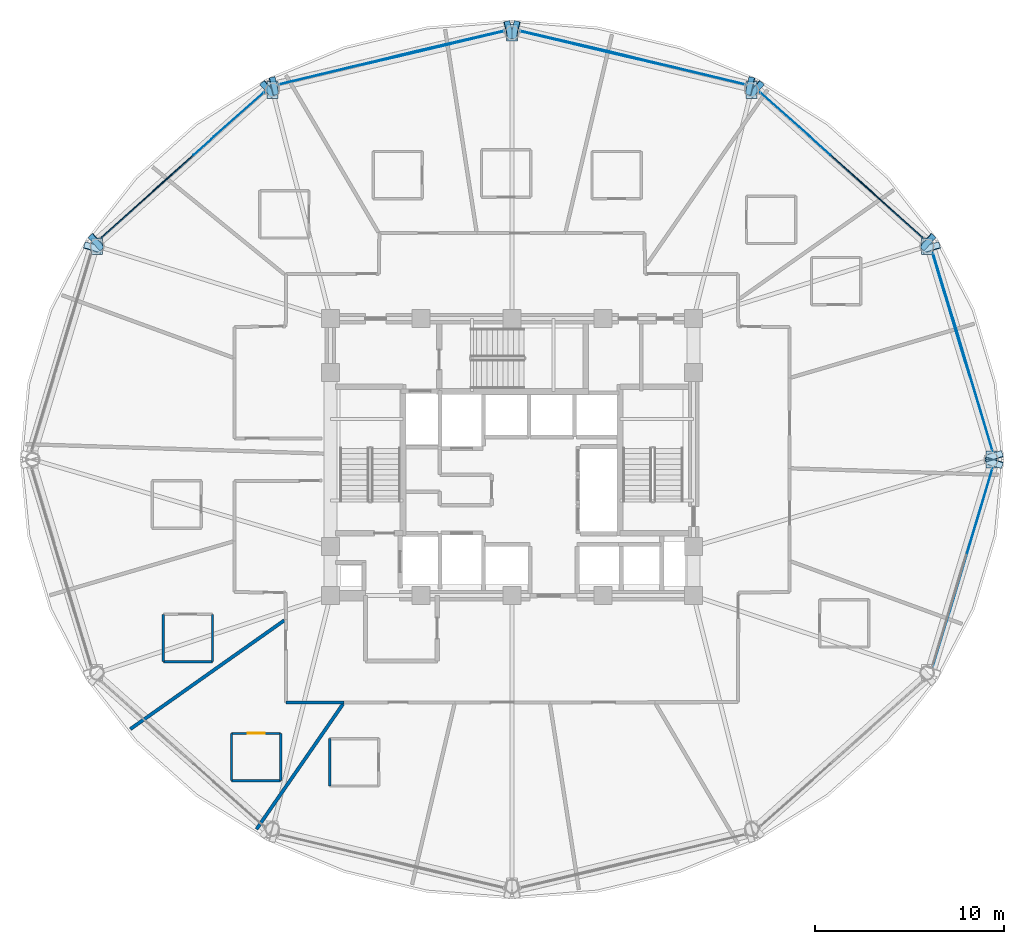
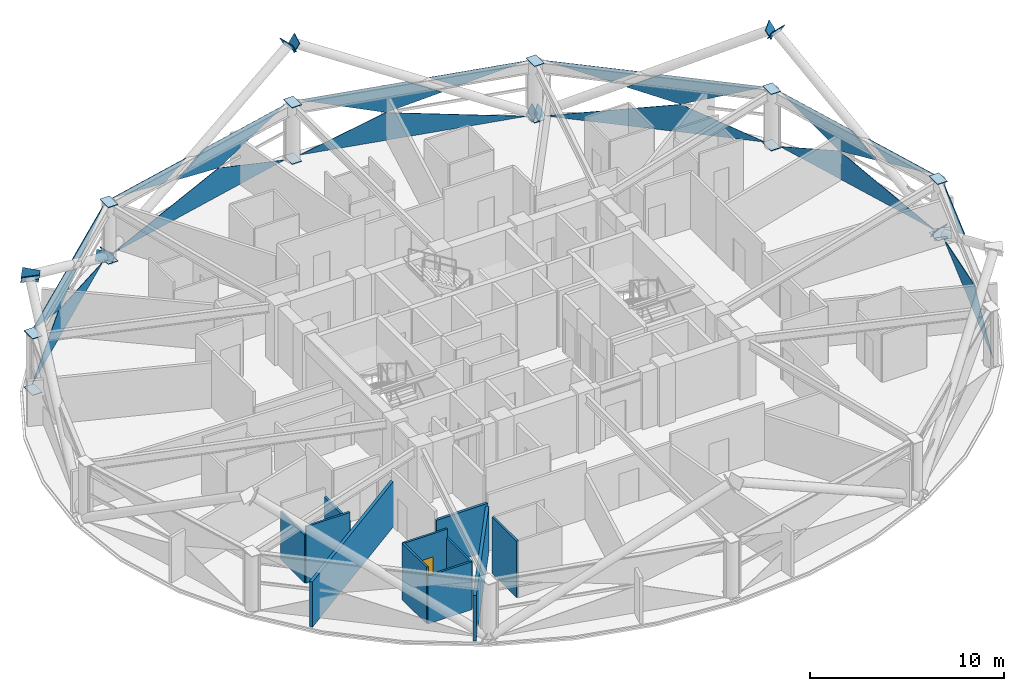
# One storey, part 22 of 30: 41 plates, 11 walls, 1 door, 1 opening, 6 elements without a shape of their own.
"""IFC4 building model written with IfcOpenShell, lengths in metres."""

from ifc_helpers import new_model, si_unit, direction, frame, frame_2d, origin, place, context, subcontext, project, spatial, polyline, rectangle, outline, extrude, material, layer, layer_set, type_object, element, fill, aggregate, save


model = new_model("IFC4")

# Units and contexts
model_context = context("Model", 3, precision=1e-05, world=origin(), true_north=direction((0.0, 1.0)))
body_context = subcontext(model_context, "Body", "Model", "MODEL_VIEW")
ifc_project = project(units=[si_unit("LENGTHUNIT", "METRE"), si_unit("AREAUNIT", "SQUARE_METRE"), si_unit("VOLUMEUNIT", "CUBIC_METRE"), si_unit("PLANEANGLEUNIT", "RADIAN"), si_unit("MASSUNIT", "GRAM", prefix="KILO")], contexts=[model_context])

# Site, building, storey
site_placement = place(None, origin())
site = spatial("IfcSite", under=ifc_project, at=site_placement, CompositionType="ELEMENT")
building_placement = place(site_placement, origin())
building = spatial("IfcBuilding", under=site, at=building_placement, Name="Vantalir Tower", CompositionType="ELEMENT")
storey_placement = place(building_placement, frame((0.0, 0.0, 119.699951171875)))
storey = spatial("IfcBuildingStorey", under=building, at=storey_placement, Name="L29", CompositionType="ELEMENT", Elevation=119.699951171875)

# Curtain wall, plates
ifc_material_1 = material(Name="Champagne-silver PVDF aluminium and double-silver Low-E glass", Category="aluminium")
ifc_layer_1 = layer(ifc_material_1, 0.199951171875)
ifc_layer_set_1 = layer_set([ifc_layer_1], Name="Champagne-silver PVDF aluminium and double-silver Low-E glass")
curtain_wall_type = type_object("IfcCurtainWallType", Name="CW-DIAMOND-Z2", PredefinedType="USERDEFINED", material=ifc_layer_set_1)
curtain_wall_1_placement = place(storey_placement, origin())
curtain_wall_1 = element("IfcCurtainWall", 1, at=curtain_wall_1_placement, inside=storey, type_object=curtain_wall_type, Name="L29 Quilted Pyramid-Diamond Curtain Wall S01", ObjectType="UNITISED CURTAIN WALL", PredefinedType="USERDEFINED")
ifc_material_2 = material(Name="Double-silver Low-E laminated glass IGU", Category="glass")
ifc_layer_2 = layer(ifc_material_2, 0.028076171875)
ifc_layer_set_2 = layer_set([ifc_layer_2], Name="Double-silver Low-E laminated glass IGU")
plate_type_1 = type_object("IfcPlateType", Name="CWP-IGU-28", PredefinedType="CURTAIN_PANEL", material=ifc_layer_set_2)
plate_1_placement = place(storey_placement, frame((56.899169921875, 25.435791015625, 0.04638671875), z_axis=(-0.957578053616, -0.287841463526, 0.013840632538), x_axis=(-0.287868447125, 0.957669961505, 4.4506563e-05)))
plate_1 = element("IfcPlate", 2, at=plate_1_placement, type_object=plate_type_1, Name="CW-L29-S01 Pyramid Diamond Facet 1L", PredefinedType="CURTAIN_PANEL", context=body_context, shape_type="SweptSolid", body=[
    extrude(outline(polyline([(0.0, 0.0), (10.970994412692926, -8.131516293641283e-18), (6.796515827342093, -1.7266695437920625), (0.0, 0.0)])), origin(), (0.0, 0.0, -1.0), 0.028076171875),
])
plate_2_placement = place(storey_placement, frame((55.226318359375, 31.000732421875, 3.5234375), z_axis=(0.957588260147, 0.287806505147, 0.013861443813), x_axis=(-0.287834162789, 0.957680267486, 3.11852e-07)))
plate_2 = element("IfcPlate", 3, at=plate_2_placement, type_object=plate_type_1, Name="CW-L29-S01 Pyramid Diamond Facet 2U", PredefinedType="CURTAIN_PANEL", context=body_context, shape_type="SweptSolid", body=[
    extrude(outline(polyline([(0.0, 0.0), (5.160055991354024, 3.469446951953614e-18), (0.9855008892440076, -1.7264845377188185), (-1.7235338823566524, -1.0384276978112634), (0.0, 0.0)])), origin(), (0.0, 0.0, -1.0), 0.028076171875),
])
plate_3_placement = place(storey_placement, frame((56.9296875, 25.44482421875, 3.52392578125), z_axis=(0.95759268239, 0.287801646243, 0.013655293989), x_axis=(-0.287828482758, 0.95768197462, 0.0)))
plate_3 = element("IfcPlate", 4, at=plate_3_placement, type_object=plate_type_1, Name="CW-L29-S01 Pyramid Diamond Facet 2U Infill Light", PredefinedType="CURTAIN_PANEL", context=body_context, shape_type="SweptSolid", body=[
    extrude(outline(polyline([(0.0, 0.0), (4.706748669004989, 0.0), (3.3106220597041633, -0.8408987161082094), (0.0, 0.0)])), origin(), (0.0, 0.0, -1.0), 0.028076171875),
])
aggregate(curtain_wall_1, [plate_1, plate_2, plate_3])

curtain_wall_2_placement = place(storey_placement, origin())
curtain_wall_2 = element("IfcCurtainWall", 5, at=curtain_wall_2_placement, inside=storey, type_object=curtain_wall_type, Name="L29 Quilted Pyramid-Diamond Curtain Wall S02", ObjectType="UNITISED CURTAIN WALL", PredefinedType="USERDEFINED")
plate_4_placement = place(storey_placement, frame((53.2705078125, 36.6806640625, 0.046630859375), z_axis=(-0.665299997576, -0.746453720294, 0.013518753099), x_axis=(-0.746522128378, 0.665360587501, -2.1031755e-05)))
plate_4 = element("IfcPlate", 6, at=plate_4_placement, type_object=plate_type_1, Name="CW-L29-S02 Pyramid Diamond Facet 1L", PredefinedType="CURTAIN_PANEL", context=body_context, shape_type="SweptSolid", body=[
    extrude(outline(polyline([(0.0, 0.0), (11.60819104345454, 1.4690939437178585e-17), (4.412884720240076, -1.7270572745579436), (0.0, 0.0)])), origin(), (0.0, 0.0, -1.0), 0.028076171875),
])
plate_5_placement = place(storey_placement, frame((53.2705078125, 36.6806640625, 3.5234375), z_axis=(0.665302752759, 0.74645122267, 0.013521070447), x_axis=(-0.746519465343, 0.665363575697, 5.0468e-08)))
plate_5 = element("IfcPlate", 7, at=plate_5_placement, type_object=plate_type_1, Name="CW-L29-S02 Pyramid Diamond Facet 2U", PredefinedType="CURTAIN_PANEL", context=body_context, shape_type="SweptSolid", body=[
    extrude(outline(polyline([(0.0, 0.0), (5.468720027258396, 6.938893903907228e-18), (7.283555827579665, -1.037937046286152), (4.412921045257344, -1.726964455812568), (0.0, 0.0)])), origin(), (0.0, 0.0, -1.0), 0.028076171875),
])
plate_6_placement = place(storey_placement, frame((48.352294921875, 41.107177734375, 3.52392578125), z_axis=(0.665284228893, 0.746469142291, 0.013443005368), x_axis=(-0.746537036916, 0.665343858558, 4.8911553e-05)))
plate_6 = element("IfcPlate", 8, at=plate_6_placement, type_object=plate_type_1, Name="CW-L29-S02 Pyramid Diamond Facet 2U Infill Light", PredefinedType="CURTAIN_PANEL", context=body_context, shape_type="SweptSolid", body=[
    extrude(outline(polyline([(0.0, 0.0), (4.991471521318294, -2.8189256484623115e-18), (1.4751675374772637, -0.8438984094848941), (0.0, 0.0)])), origin(), (0.0, 0.0, -1.0), 0.028076171875),
])
aggregate(curtain_wall_2, [plate_4, plate_5, plate_6])

curtain_wall_3_placement = place(storey_placement, origin())
curtain_wall_3 = element("IfcCurtainWall", 9, at=curtain_wall_3_placement, inside=storey, type_object=curtain_wall_type, Name="L29 Quilted Pyramid-Diamond Curtain Wall S03", ObjectType="UNITISED CURTAIN WALL", PredefinedType="USERDEFINED")
plate_7_placement = place(storey_placement, frame((43.822509765625, 44.812744140625, 0.04638671875), z_axis=(-0.232299062486, -0.972547398825, 0.013736906736), x_axis=(-0.972639108939, 0.232321250348, 1.9988062e-05)))
plate_7 = element("IfcPlate", 10, at=plate_7_placement, type_object=plate_type_1, Name="CW-L29-S03 Pyramid Diamond Facet 1L", PredefinedType="CURTAIN_PANEL", context=body_context, shape_type="SweptSolid", body=[
    extrude(outline(polyline([(0.0, 0.0), (12.214321677942559, 2.3852447794681098e-18), (7.566829300633207, -1.72730665728665), (0.0, 0.0)])), origin(), (0.0, 0.0, -1.0), 0.028076171875),
])
plate_8_placement = place(storey_placement, frame((37.547607421875, 46.3115234375, 3.523681640625), z_axis=(0.232301234705, 0.97254673687, 0.013747034514), x_axis=(-0.972638510064, 0.232323754585, -4.2380741e-05)))
plate_8 = element("IfcPlate", 11, at=plate_8_placement, type_object=plate_type_1, Name="CW-L29-S03 Pyramid Diamond Facet 2U", PredefinedType="CURTAIN_PANEL", context=body_context, shape_type="SweptSolid", body=[
    extrude(outline(polyline([(0.0, 0.0), (5.762907974873751, 2.981555974335137e-19), (1.1154543352141921, -1.7274108812387383), (-1.9029553580483136, -1.0382647935510374), (0.0, 0.0)])), origin(), (0.0, 0.0, -1.0), 0.028076171875),
])
plate_9_placement = place(storey_placement, frame((43.829833984375, 44.84375, 3.524169921875), z_axis=(0.232304264047, 0.972542172526, 0.014016117995), x_axis=(-0.972637715319, 0.232327085678, 0.0)))
plate_9 = element("IfcPlate", 12, at=plate_9_placement, type_object=plate_type_1, Name="CW-L29-S03 Pyramid Diamond Facet 2U Infill Light", PredefinedType="CURTAIN_PANEL", context=body_context, shape_type="SweptSolid", body=[
    extrude(outline(polyline([(0.0, 0.0), (5.262650484484167, 0.0), (3.7102356855012117, -0.8470070301392341), (0.0, 0.0)])), origin(), (0.0, 0.0, -1.0), 0.028076171875),
])
aggregate(curtain_wall_3, [plate_7, plate_8, plate_9])

curtain_wall_4_placement = place(storey_placement, origin())
curtain_wall_4 = element("IfcCurtainWall", 13, at=curtain_wall_4_placement, inside=storey, type_object=curtain_wall_type, Name="L29 Quilted Pyramid-Diamond Curtain Wall S04", ObjectType="UNITISED CURTAIN WALL", PredefinedType="USERDEFINED")
plate_10_placement = place(storey_placement, frame((31.0576171875, 47.650390625, 0.046630859375), z_axis=(0.232299062486, -0.972547398825, 0.013736906736), x_axis=(-0.972639108939, -0.232321250348, -1.9988062e-05)))
plate_10 = element("IfcPlate", 14, at=plate_10_placement, type_object=plate_type_1, Name="CW-L29-S04 Pyramid Diamond Facet 1L", PredefinedType="CURTAIN_PANEL", context=body_context, shape_type="SweptSolid", body=[
    extrude(outline(polyline([(0.0, 0.0), (12.214321677942559, -2.3852447794681098e-18), (4.647492377309353, -1.72730665728665), (0.0, 0.0)])), origin(), (0.0, 0.0, -1.0), 0.028076171875),
])
plate_11_placement = place(storey_placement, frame((31.0576171875, 47.650390625, 3.5234375), z_axis=(-0.232301234705, 0.97254673687, 0.013747034514), x_axis=(-0.972638510064, -0.232323754585, 4.2380741e-05)))
plate_11 = element("IfcPlate", 15, at=plate_11_placement, type_object=plate_type_1, Name="CW-L29-S04 Pyramid Diamond Facet 2U", PredefinedType="CURTAIN_PANEL", context=body_context, shape_type="SweptSolid", body=[
    extrude(outline(polyline([(0.0, 0.0), (5.762907974873751, -2.981555974335137e-19), (7.665863332922064, -1.0382647935510374), (4.647453639659559, -1.727410881238738), (0.0, 0.0)])), origin(), (0.0, 0.0, -1.0), 0.028076171875),
])
plate_12_placement = place(storey_placement, frame((24.288818359375, 46.06640625, 3.524169921875), z_axis=(-0.232304264047, 0.972542172526, 0.014016117995), x_axis=(-0.972637715319, -0.232327085678, 0.0)))
plate_12 = element("IfcPlate", 16, at=plate_12_placement, type_object=plate_type_1, Name="CW-L29-S04 Pyramid Diamond Facet 2U Infill Light", PredefinedType="CURTAIN_PANEL", context=body_context, shape_type="SweptSolid", body=[
    extrude(outline(polyline([(0.0, 0.0), (5.262650484484167, 0.0), (1.5524147989829549, -0.8470070301392341), (0.0, 0.0)])), origin(), (0.0, 0.0, -1.0), 0.028076171875),
])
aggregate(curtain_wall_4, [plate_10, plate_11, plate_12])

curtain_wall_5_placement = place(storey_placement, origin())
curtain_wall_5 = element("IfcCurtainWall", 17, at=curtain_wall_5_placement, inside=storey, type_object=curtain_wall_type, Name="L29 Quilted Pyramid-Diamond Curtain Wall S05", ObjectType="UNITISED CURTAIN WALL", PredefinedType="USERDEFINED")
plate_13_placement = place(storey_placement, frame((18.395263671875, 44.404296875, 0.04638671875), z_axis=(0.665299997576, -0.746453720294, 0.013518753099), x_axis=(-0.746522128378, -0.665360587501, 2.1031755e-05)))
plate_13 = element("IfcPlate", 18, at=plate_13_placement, type_object=plate_type_1, Name="CW-L29-S05 Pyramid Diamond Facet 1L", PredefinedType="CURTAIN_PANEL", context=body_context, shape_type="SweptSolid", body=[
    extrude(outline(polyline([(0.0, 0.0), (11.60819104345454, -1.4690939437178585e-17), (7.195306323214464, -1.7270572745579436), (0.0, 0.0)])), origin(), (0.0, 0.0, -1.0), 0.028076171875),
])
plate_14_placement = place(storey_placement, frame((13.81201171875, 40.3193359375, 3.5234375), z_axis=(-0.665302752759, 0.74645122267, 0.013521070447), x_axis=(-0.746519465343, -0.665363575697, -5.0468e-08)))
plate_14 = element("IfcPlate", 19, at=plate_14_placement, type_object=plate_type_1, Name="CW-L29-S05 Pyramid Diamond Facet 2U", PredefinedType="CURTAIN_PANEL", context=body_context, shape_type="SweptSolid", body=[
    extrude(outline(polyline([(0.0, 0.0), (5.468720027258396, -6.938893903907228e-18), (1.055798982001051, -1.726964455812568), (-1.8148358003212686, -1.037937046286152), (0.0, 0.0)])), origin(), (0.0, 0.0, -1.0), 0.028076171875),
])
plate_15_placement = place(storey_placement, frame((18.3740234375, 44.42822265625, 3.524169921875), z_axis=(-0.665284228893, 0.746469142291, 0.013443005368), x_axis=(-0.746537036916, -0.665343858558, -4.8911553e-05)))
plate_15 = element("IfcPlate", 20, at=plate_15_placement, type_object=plate_type_1, Name="CW-L29-S05 Pyramid Diamond Facet 2U Infill Light", PredefinedType="CURTAIN_PANEL", context=body_context, shape_type="SweptSolid", body=[
    extrude(outline(polyline([(0.0, 0.0), (4.991471521318294, 2.8189256484623115e-18), (3.5163039838410306, -0.8438984094848941), (0.0, 0.0)])), origin(), (0.0, 0.0, -1.0), 0.028076171875),
])
aggregate(curtain_wall_5, [plate_13, plate_14, plate_15])

curtain_wall_6_placement = place(storey_placement, origin())
curtain_wall_6 = element("IfcCurtainWall", 21, at=curtain_wall_6_placement, inside=storey, type_object=curtain_wall_type, Name="L29 Quilted Pyramid-Diamond Curtain Wall S12", ObjectType="UNITISED CURTAIN WALL", PredefinedType="USERDEFINED")
plate_16_placement = place(storey_placement, frame((53.740966796875, 14.0576171875, 0.046875), z_axis=(-0.957578053616, 0.287841463526, 0.013840632538), x_axis=(0.287868447125, 0.957669961505, -4.4506563e-05)))
plate_16 = element("IfcPlate", 22, at=plate_16_placement, type_object=plate_type_1, Name="CW-L29-S12 Pyramid Diamond Facet 1L", PredefinedType="CURTAIN_PANEL", context=body_context, shape_type="SweptSolid", body=[
    extrude(outline(polyline([(0.0, 0.0), (10.970994412692926, 8.131516293641283e-18), (4.174478585350832, -1.7266695437920627), (0.0, 0.0)])), origin(), (0.0, 0.0, -1.0), 0.028076171875),
])
plate_17_placement = place(storey_placement, frame((55.574951171875, 20.047607421875, 3.52392578125), z_axis=(0.95759268239, -0.287801646243, 0.013655293989), x_axis=(0.287828482758, 0.95768197462, 0.0)))
plate_17 = element("IfcPlate", 23, at=plate_17_placement, type_object=plate_type_1, Name="CW-L29-S12 Pyramid Diamond Facet 2U Infill Light", PredefinedType="CURTAIN_PANEL", context=body_context, shape_type="SweptSolid", body=[
    extrude(outline(polyline([(0.0, 0.0), (4.706748669004989, 0.0), (1.396126609300826, -0.8408987161082094), (0.0, 0.0)])), origin(), (0.0, 0.0, -1.0), 0.028076171875),
])
aggregate(curtain_wall_6, [plate_16, plate_17])

# Plates
ifc_material_3 = material(Name="Steel S460", Category="steel")
ifc_layer_3 = layer(ifc_material_3, 0.0400390625)
ifc_layer_set_3 = layer_set([ifc_layer_3], Name="Steel S460")
plate_type_2 = type_object("IfcPlateType", Name="PLT-KN-Z1", PredefinedType="USERDEFINED", material=ifc_layer_set_3)
plate_18_placement = place(storey_placement, frame((57.382568359375, 25.47705078125, -0.06787109375), z_axis=(-0.246487433988, 0.820120913175, 0.516377413002), x_axis=(-0.95767832403, -0.287840628499, 1.6357062e-05)))
element("IfcPlate", 24, at=plate_18_placement, inside=storey, type_object=plate_type_2, Name="Node Cap Plate MEM-DG-L29-R01L Start", ObjectType="FLANGE_PLATE", PredefinedType="USERDEFINED", context=body_context, shape_type="SweptSolid", body=[
    extrude(outline(polyline([(0.0, 0.0), (0.9498757175918675, 2.7755575615628914e-17), (0.9500023479249362, 0.6200542131198509), (-0.00010717785150907857, 0.6200905040900339), (0.0, 0.0)])), origin(), (0.0, 0.0, -1.0), 0.0400390625),
])
plate_19_placement = place(storey_placement, frame((54.065185546875, 36.513671875, 6.87744140625), z_axis=(-0.246572977897, 0.820295460396, 0.516059225501), x_axis=(-0.957670515675, -0.287866606966, 0.0)))
element("IfcPlate", 25, at=plate_19_placement, inside=storey, type_object=plate_type_2, Name="Node Cap Plate MEM-DG-L29-R01L End", ObjectType="FLANGE_PLATE", PredefinedType="USERDEFINED", context=body_context, shape_type="SweptSolid", body=[
    extrude(outline(polyline([(0.0, 0.0), (0.9498757180684223, 0.0), (0.9499320675149764, 0.6199335236216567), (5.6349446554068705e-05, 0.6199335236216568), (0.0, 0.0)])), origin(), (0.0, 0.0, -1.0), 0.0400390625),
])
plate_20_placement = place(storey_placement, frame((56.472900390625, 24.79638671875, -0.06787109375), z_axis=(-0.246487433988, -0.820120913175, 0.516377413002), x_axis=(0.95767832403, -0.287840628499, -1.6357062e-05)))
element("IfcPlate", 26, at=plate_20_placement, inside=storey, type_object=plate_type_2, Name="Node Cap Plate MEM-DG-L29-R01R Start", ObjectType="FLANGE_PLATE", PredefinedType="USERDEFINED", context=body_context, shape_type="SweptSolid", body=[
    extrude(outline(polyline([(0.0, 0.0), (0.9498757175918675, -2.7755575615628914e-17), (0.9499828954433767, 0.6200905040900339), (-0.0001266303330686793, 0.6200542131198509), (0.0, 0.0)])), origin(), (0.0, 0.0, -1.0), 0.0400390625),
])
plate_21_placement = place(storey_placement, frame((44.036376953125, 45.25, -0.0830078125), z_axis=(-0.853889385606, 0.203967764457, 0.47882154109), x_axis=(-0.232326087956, -0.972637953556, 1.2548532e-05)))
element("IfcPlate", 27, at=plate_21_placement, inside=storey, type_object=plate_type_2, Name="Node Cap Plate MEM-DG-L29-R07L Start", ObjectType="FLANGE_PLATE", PredefinedType="USERDEFINED", context=body_context, shape_type="SweptSolid", body=[
    extrude(outline(polyline([(0.0, 0.0), (0.9500628510062665, 0.0), (0.9499334867673997, 0.6201322158473045), (0.00010809619901300934, 0.6201593721022879), (0.0, 0.0)])), origin(), (0.0, 0.0, -1.0), 0.0400390625),
])
plate_22_placement = place(storey_placement, frame((31.62646484375, 48.214111328125, 6.8779296875), z_axis=(-0.853826344548, 0.203925763665, 0.478951830845), x_axis=(-0.232303709897, -0.972643298629, 0.0)))
element("IfcPlate", 28, at=plate_22_placement, inside=storey, type_object=plate_type_2, Name="Node Cap Plate MEM-DG-L29-R07L End", ObjectType="FLANGE_PLATE", PredefinedType="USERDEFINED", context=body_context, shape_type="SweptSolid", body=[
    extrude(outline(polyline([(0.0, 0.0), (0.9500628513325243, 0.0), (0.9499334864411865, 0.6199178886275151), (-0.0001293648913379547, 0.6199178886275151), (0.0, 0.0)])), origin(), (0.0, 0.0, -1.0), 0.0400390625),
])
plate_23_placement = place(storey_placement, frame((44.211669921875, 44.118408203125, -0.075927734375), z_axis=(0.647889543187, -0.577723819588, 0.496461809317), x_axis=(0.66551788658, 0.746381900191, 4.1337984e-05)))
element("IfcPlate", 29, at=plate_23_placement, inside=storey, type_object=plate_type_2, Name="Node Cap Plate MEM-DG-L29-R07R Start", ObjectType="FLANGE_PLATE", PredefinedType="USERDEFINED", context=body_context, shape_type="SweptSolid", body=[
    extrude(outline(polyline([(0.0, 0.0), (0.9498337027615531, 5.551115123125783e-17), (0.9498466991590877, 0.6201088680268438), (-0.0001494835552438813, 0.6201993401925051), (0.0, 0.0)])), origin(), (0.0, 0.0, -1.0), 0.0400390625),
])
plate_24_placement = place(storey_placement, frame((53.287109375, 36.029541015625, 6.877685546875), z_axis=(0.647923945691, -0.5774440948, 0.496742265144), x_axis=(0.665336277327, 0.746543795147, 0.0)))
element("IfcPlate", 30, at=plate_24_placement, inside=storey, type_object=plate_type_2, Name="Node Cap Plate MEM-DG-L29-R07R End", ObjectType="FLANGE_PLATE", PredefinedType="USERDEFINED", context=body_context, shape_type="SweptSolid", body=[
    extrude(outline(polyline([(0.0, 0.0), (0.9500159538334854, 2.7755575615628914e-17), (0.9499191449677844, 0.6199874546510638), (-9.680886570095915e-05, 0.6199874546510638), (0.0, 0.0)])), origin(), (0.0, 0.0, -1.0), 0.0400390625),
])
plate_25_placement = place(storey_placement, frame((18.15625, 44.827392578125, -0.075927734375), z_axis=(-0.647889543187, -0.577723819588, 0.496461809317), x_axis=(0.66551788658, -0.746381900191, -4.1337984e-05)))
element("IfcPlate", 31, at=plate_25_placement, inside=storey, type_object=plate_type_2, Name="Node Cap Plate MEM-DG-L29-R13L Start", ObjectType="FLANGE_PLATE", PredefinedType="USERDEFINED", context=body_context, shape_type="SweptSolid", body=[
    extrude(outline(polyline([(0.0, 0.0), (0.9498337027615531, -5.551115123125783e-17), (0.9499831863167971, 0.620199340192505), (-1.2996397534468084e-05, 0.6201088680268438), (0.0, 0.0)])), origin(), (0.0, 0.0, -1.0), 0.0400390625),
])
plate_26_placement = place(storey_placement, frame((9.080810546875, 36.73876953125, 6.877685546875), z_axis=(-0.647923945691, -0.5774440948, 0.496742265144), x_axis=(0.665336277327, -0.746543795147, 0.0)))
element("IfcPlate", 32, at=plate_26_placement, inside=storey, type_object=plate_type_2, Name="Node Cap Plate MEM-DG-L29-R13L End", ObjectType="FLANGE_PLATE", PredefinedType="USERDEFINED", context=body_context, shape_type="SweptSolid", body=[
    extrude(outline(polyline([(0.0, 0.0), (0.9500159538334854, -2.7755575615628914e-17), (0.9501127626991863, 0.6199874546510638), (9.680886570095915e-05, 0.6199874546510638), (0.0, 0.0)])), origin(), (0.0, 0.0, -1.0), 0.0400390625),
])
plate_27_placement = place(storey_placement, frame((19.184326171875, 44.325927734375, -0.0830078125), z_axis=(0.853889385606, 0.203967764457, 0.47882154109), x_axis=(-0.232326087956, 0.972637953556, -1.2548532e-05)))
element("IfcPlate", 33, at=plate_27_placement, inside=storey, type_object=plate_type_2, Name="Node Cap Plate MEM-DG-L29-R13R Start", ObjectType="FLANGE_PLATE", PredefinedType="USERDEFINED", context=body_context, shape_type="SweptSolid", body=[
    extrude(outline(polyline([(0.0, 0.0), (0.9500628510062665, 0.0), (0.9499547548072536, 0.6201593721022879), (0.00012936423886685683, 0.6201322158473045), (0.0, 0.0)])), origin(), (0.0, 0.0, -1.0), 0.0400390625),
])
plate_28_placement = place(storey_placement, frame((31.59423828125, 47.2900390625, 6.8779296875), z_axis=(0.853826344548, 0.203925763665, 0.478951830845), x_axis=(-0.232303709897, 0.972643298629, 0.0)))
element("IfcPlate", 34, at=plate_28_placement, inside=storey, type_object=plate_type_2, Name="Node Cap Plate MEM-DG-L29-R13R End", ObjectType="FLANGE_PLATE", PredefinedType="USERDEFINED", context=body_context, shape_type="SweptSolid", body=[
    extrude(outline(polyline([(0.0, 0.0), (0.9500628513325243, 0.0), (0.9501922162238623, 0.6199178886275152), (0.0001293648913379547, 0.6199178886275151), (0.0, 0.0)])), origin(), (0.0, 0.0, -1.0), 0.0400390625),
])
plate_29_placement = place(storey_placement, frame((9.844482421875, 36.240234375, 6.87744140625), z_axis=(0.246572977897, 0.820295460396, 0.516059225501), x_axis=(-0.957670515675, 0.287866606966, 0.0)))
element("IfcPlate", 35, at=plate_29_placement, inside=storey, type_object=plate_type_2, Name="Node Cap Plate MEM-DG-L29-R19R End", ObjectType="FLANGE_PLATE", PredefinedType="USERDEFINED", context=body_context, shape_type="SweptSolid", body=[
    extrude(outline(polyline([(0.0, 0.0), (0.9498757180684223, 0.0), (0.9498193686218683, 0.6199335236216568), (-5.6349446554068705e-05, 0.6199335236216568), (0.0, 0.0)])), origin(), (0.0, 0.0, -1.0), 0.0400390625),
])
ifc_layer_4 = layer(ifc_material_3, 0.035888671875)
ifc_layer_set_4 = layer_set([ifc_layer_4], Name="Steel S460")
plate_type_3 = type_object("IfcPlateType", Name="PLT-KN-Z2", PredefinedType="USERDEFINED", material=ifc_layer_set_4)
for number, where, z_axis, x_axis, name in (
    (36, (56.550048828125, 25.43994140625, 3.59814453125), (0.0, 0.0, 1.0), (0.0, -1.0, 0.0), "L29 Ring Column Top Cap RC01"),
    (37, (56.550048828125, 25.43994140625, 0.052978515625), (0.0, 0.0, 1.0), (0.0, -1.0, 0.0), "L29 Ring Column Base Cap RC01"),
):
    element("IfcPlate", number, at=place(storey_placement, frame(where, z_axis=z_axis, x_axis=x_axis)), inside=storey, type_object=plate_type_3, Name=name, ObjectType="FLANGE_PLATE", PredefinedType="USERDEFINED", context=body_context, shape_type="SweptSolid", body=[
        extrude(outline(polyline([(0.0, 0.0), (0.8798828125, 0.0), (0.8798828125, 0.579833984375), (0.0, 0.579833984375), (0.0, 0.0)])), origin(), (0.0, 0.0, -1.0), 0.035888671875),
    ])
for number, where, z_axis, x_axis, name in (
    (38, (53.155029296875, 36.722900390625, 3.59814453125), (0.0, 0.0, 1.0), (0.0, -1.0, 0.0), "L29 Ring Column Top Cap RC02"),
    (39, (53.155029296875, 36.722900390625, 0.052978515625), (0.0, 0.0, 1.0), (0.0, -1.0, 0.0), "L29 Ring Column Base Cap RC02"),
    (40, (43.8798828125, 44.98291015625, 3.59814453125), (0.0, 0.0, 1.0), (0.0, -1.0, 0.0), "L29 Ring Column Top Cap RC03"),
    (41, (43.8798828125, 44.98291015625, 0.052978515625), (0.0, 0.0, 1.0), (0.0, -1.0, 0.0), "L29 Ring Column Base Cap RC03"),
):
    element("IfcPlate", number, at=place(storey_placement, frame(where, z_axis=z_axis, x_axis=x_axis)), inside=storey, type_object=plate_type_3, Name=name, ObjectType="FLANGE_PLATE", PredefinedType="USERDEFINED", context=body_context, shape_type="SweptSolid", body=[
        extrude(outline(polyline([(0.0, 0.0), (0.8798828125, 0.0), (0.8798828125, 0.580078125), (0.0, 0.580078125), (0.0, 0.0)])), origin(), (0.0, 0.0, -1.0), 0.035888671875),
    ])
for number, where, z_axis, x_axis, name in (
    (42, (31.2099609375, 48.006103515625, 3.59814453125), (0.0, 0.0, 1.0), (0.0, -1.0, 0.0), "L29 Ring Column Top Cap RC04"),
    (43, (31.2099609375, 48.006103515625, 0.052978515625), (0.0, 0.0, 1.0), (0.0, -1.0, 0.0), "L29 Ring Column Base Cap RC04"),
):
    element("IfcPlate", number, at=place(storey_placement, frame(where, z_axis=z_axis, x_axis=x_axis)), inside=storey, type_object=plate_type_3, Name=name, ObjectType="FLANGE_PLATE", PredefinedType="USERDEFINED", context=body_context, shape_type="SweptSolid", body=[
        extrude(outline(polyline([(0.0, 0.0), (0.880126953125, 0.0), (0.880126953125, 0.580078125), (0.0, 0.580078125), (0.0, 0.0)])), origin(), (0.0, 0.0, -1.0), 0.035888671875),
    ])
for number, where, z_axis, x_axis, name in (
    (44, (18.5400390625, 44.98291015625, 3.59814453125), (0.0, 0.0, 1.0), (0.0, -1.0, 0.0), "L29 Ring Column Top Cap RC05"),
    (45, (18.5400390625, 44.98291015625, 0.052978515625), (0.0, 0.0, 1.0), (0.0, -1.0, 0.0), "L29 Ring Column Base Cap RC05"),
    (46, (9.264892578125, 36.722900390625, 3.59814453125), (0.0, 0.0, 1.0), (0.0, -1.0, 0.0), "L29 Ring Column Top Cap RC06"),
    (47, (9.264892578125, 36.722900390625, 0.052978515625), (0.0, 0.0, 1.0), (0.0, -1.0, 0.0), "L29 Ring Column Base Cap RC06"),
):
    element("IfcPlate", number, at=place(storey_placement, frame(where, z_axis=z_axis, x_axis=x_axis)), inside=storey, type_object=plate_type_3, Name=name, ObjectType="FLANGE_PLATE", PredefinedType="USERDEFINED", context=body_context, shape_type="SweptSolid", body=[
        extrude(outline(polyline([(0.0, 0.0), (0.8798828125, 0.0), (0.8798828125, 0.580078125), (0.0, 0.580078125), (0.0, 0.0)])), origin(), (0.0, 0.0, -1.0), 0.035888671875),
    ])

# Walls
ifc_material_4 = material(Name="Moisture-resistant en-suite partition", Category="gypsum")
ifc_layer_5 = layer(ifc_material_4, 0.125)
ifc_layer_set_5 = layer_set([ifc_layer_5], Name="Moisture-resistant en-suite partition")
wall_type_1 = type_object("IfcWallType", Name="WL-BATH-125", PredefinedType="PARTITIONING", material=ifc_layer_set_5)
wall_1_placement = place(storey_placement, frame((13.06591796875, 14.31689453125, 0.0), z_axis=(0.0, 0.0, 1.0), x_axis=(1.0, 0.0, 0.0)))
element("IfcWall", 48, at=wall_1_placement, inside=storey, type_object=wall_type_1, Name="L29 En-suite 10 South Wall", PredefinedType="PARTITIONING", context=body_context, shape_type="SweptSolid", body=[
    extrude(rectangle(XDim=2.60009765625, YDim=0.125, at=frame_2d((1.300048828125, 0.0))), origin(), (0.0, 0.0, 1.0), 3.550048828125),
])
for number, where, z_axis, x_axis, name in (
    (49, (13.06591796875, 14.31689453125, 0.0), (0.0, 0.0, 1.0), (0.0, 1.0, 0.0), "L29 En-suite 10 West Wall"),
    (50, (15.666015625, 14.31689453125, 0.0), (0.0, 0.0, 1.0), (0.0, 1.0, 0.0), "L29 En-suite 10 East Wall"),
):
    element("IfcWall", number, at=place(storey_placement, frame(where, z_axis=z_axis, x_axis=x_axis)), inside=storey, type_object=wall_type_1, Name=name, PredefinedType="PARTITIONING", context=body_context, shape_type="SweptSolid", body=[
        extrude(rectangle(XDim=2.5, YDim=0.125, at=frame_2d((1.25, 0.0))), origin(), (0.0, 0.0, 1.0), 3.006103515625),
    ])
wall_2_placement = place(storey_placement, frame((16.6708984375, 8.01611328125, 0.0), z_axis=(0.0, 0.0, 1.0), x_axis=(1.0, 0.0, 0.0)))
element("IfcWall", 51, at=wall_2_placement, inside=storey, type_object=wall_type_1, Name="L29 En-suite 11 South Wall", PredefinedType="PARTITIONING", context=body_context, shape_type="SweptSolid", body=[
    extrude(rectangle(XDim=2.60009765625, YDim=0.125, at=frame_2d((1.300048828125, 0.0))), origin(), (0.0, 0.0, 1.0), 3.006103515625),
])

# Wall, opening, door
wall_3_placement = place(storey_placement, frame((16.6708984375, 10.51611328125, 0.0), z_axis=(0.0, 0.0, 1.0), x_axis=(1.0, 0.0, 0.0)))
wall_3 = element("IfcWall", 52, at=wall_3_placement, inside=storey, type_object=wall_type_1, Name="L29 En-suite 11 North Wall", PredefinedType="PARTITIONING", context=body_context, shape_type="SweptSolid", body=[
    extrude(rectangle(XDim=2.60009765625, YDim=0.125, at=frame_2d((1.300048828125, 0.0))), origin(), (0.0, 0.0, 1.0), 3.550048828125),
])
opening_placement = place(wall_3_placement, frame((0.85009765625, 0.0, 0.0)))
opening = element("IfcOpeningElement", 53, at=opening_placement, cuts=wall_3, Name="Opening D-WC", PredefinedType="OPENING", context=body_context, shape_type="SweptSolid", body=[
    extrude(rectangle(XDim=0.89990234375, YDim=2.10009765625, at=frame_2d((0.449951171875, 1.050048828125))), frame((0.0, 0.072509765625, 0.0), z_axis=(0.0, -1.0, 0.0), x_axis=(1.0, 0.0, 0.0)), (0.0, 0.0, 1.0), 0.14501953125),
])
ifc_material_5 = material(Name="Moisture-resistant hardwood door", Category="wood")
door_type = type_object("IfcDoorType", Name="DR-ENSUITE-900", OperationType="NOTDEFINED", PredefinedType="DOOR", material=ifc_material_5)
door_placement = place(opening_placement, frame((0.89990234375, 0.0, 0.0), z_axis=(0.0, 0.0, 1.0), x_axis=(-1.0, 0.0, 0.0)))
door = element("IfcDoor", 54, at=door_placement, inside=storey, type_object=door_type, Name="L29 En-suite 11 Door", OperationType="SINGLE_SWING_LEFT", OverallHeight=2.10009765625, OverallWidth=0.89990234375, PredefinedType="DOOR", context=body_context, shape_type="SweptSolid", body=[
    extrude(rectangle(XDim=0.89990234375, YDim=2.10009765625, at=frame_2d((0.449951171875, 1.050048828125))), frame((0.0, 0.02490234375, 0.0), z_axis=(0.0, -1.0, 0.0), x_axis=(1.0, 0.0, 0.0)), (0.0, 0.0, 1.0), 0.050048828125),
])
fill(opening, door)

# Walls
wall_4_placement = place(storey_placement, frame((16.6708984375, 8.01611328125, 0.0), z_axis=(0.0, 0.0, 1.0), x_axis=(0.0, 1.0, 0.0)))
element("IfcWall", 55, at=wall_4_placement, inside=storey, type_object=wall_type_1, Name="L29 En-suite 11 West Wall", PredefinedType="PARTITIONING", context=body_context, shape_type="SweptSolid", body=[
    extrude(rectangle(XDim=2.5, YDim=0.125, at=frame_2d((1.25, 0.0))), origin(), (0.0, 0.0, 1.0), 3.550048828125),
])
wall_5_placement = place(storey_placement, frame((19.27099609375, 8.01611328125, 0.0), z_axis=(0.0, 0.0, 1.0), x_axis=(0.0, 1.0, 0.0)))
element("IfcWall", 56, at=wall_5_placement, inside=storey, type_object=wall_type_1, Name="L29 En-suite 11 East Wall", PredefinedType="PARTITIONING", context=body_context, shape_type="SweptSolid", body=[
    extrude(rectangle(XDim=2.5, YDim=0.125, at=frame_2d((1.25, 0.0))), origin(), (0.0, 0.0, 1.0), 3.006103515625),
])
wall_6_placement = place(storey_placement, frame((21.85693359375, 7.738037109375, 0.0), z_axis=(0.0, 0.0, 1.0), x_axis=(0.0, 1.0, 0.0)))
element("IfcWall", 57, at=wall_6_placement, inside=storey, type_object=wall_type_1, Name="L29 En-suite 12 West Wall", PredefinedType="PARTITIONING", context=body_context, shape_type="SweptSolid", body=[
    extrude(rectangle(XDim=2.5, YDim=0.125, at=frame_2d((1.25, 0.0))), origin(), (0.0, 0.0, 1.0), 3.550048828125),
])
ifc_material_6 = material(Name="Fire-rated hotel corridor acoustic partition", Category="gypsum")
ifc_layer_6 = layer(ifc_material_6, 0.159912109375)
ifc_layer_set_6 = layer_set([ifc_layer_6], Name="Fire-rated hotel corridor acoustic partition")
wall_type_2 = type_object("IfcWallType", Name="WL-CORR-160", PredefinedType="PARTITIONING", material=ifc_layer_set_6)
wall_7_placement = place(storey_placement, frame((22.6240234375, 12.157958984375, 0.0), z_axis=(0.0, 0.0, 1.0), x_axis=(-0.999999949441, -0.000317990285, 0.0)))
element("IfcWall", 58, at=wall_7_placement, inside=storey, type_object=wall_type_2, Name="L29 Corridor Partition 27", PredefinedType="PARTITIONING", context=body_context, shape_type="SweptSolid", body=[
    extrude(rectangle(XDim=3.071044921875, YDim=0.159912109375, at=frame_2d((1.53564453125, 0.0))), origin(), (0.0, 0.0, 1.0), 3.006103515625),
])
ifc_material_7 = material(Name="Twin-stud acoustic fire-rated gypsum partition", Category="gypsum")
ifc_layer_7 = layer(ifc_material_7, 0.179931640625)
ifc_layer_set_7 = layer_set([ifc_layer_7], Name="Twin-stud acoustic fire-rated gypsum partition")
wall_type_3 = type_object("IfcWallType", Name="WL-GUEST-180", PredefinedType="PARTITIONING", material=ifc_layer_set_7)
wall_8_placement = place(storey_placement, frame((19.4599609375, 16.49609375, 0.0), z_axis=(0.0, 0.0, 1.0), x_axis=(-0.816848359807, -0.576852456942, 0.0)))
element("IfcWall", 59, at=wall_8_placement, inside=storey, type_object=wall_type_3, Name="L29 Radial Suite Partition 11", PredefinedType="PARTITIONING", context=body_context, shape_type="SweptSolid", body=[
    extrude(rectangle(XDim=9.96630859375, YDim=0.179931640625, at=frame_2d((4.983154296875, 0.0))), origin(), (0.0, 0.0, 1.0), 2.85107421875),
])
wall_9_placement = place(storey_placement, frame((22.56591796875, 12.074951171875, 0.0), z_axis=(0.0, 0.0, 1.0), x_axis=(-0.568571085833, -0.822634135175, 0.0)))
element("IfcWall", 60, at=wall_9_placement, inside=storey, type_object=wall_type_3, Name="L29 Radial Suite Partition 12", PredefinedType="PARTITIONING", context=body_context, shape_type="SweptSolid", body=[
    extrude(rectangle(XDim=8.0498046875, YDim=0.179931640625, at=frame_2d((4.02490234375, 0.0))), origin(), (0.0, 0.0, 1.0), 2.85107421875),
])

save(model, "model.ifc")
